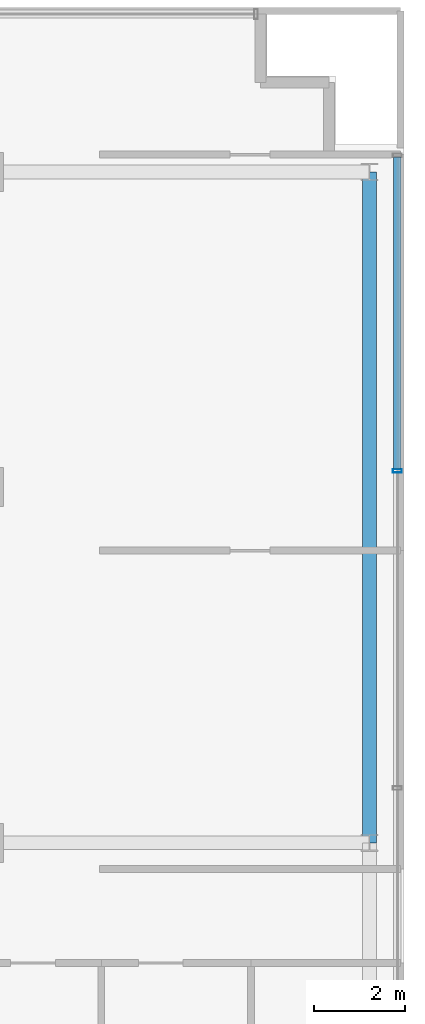
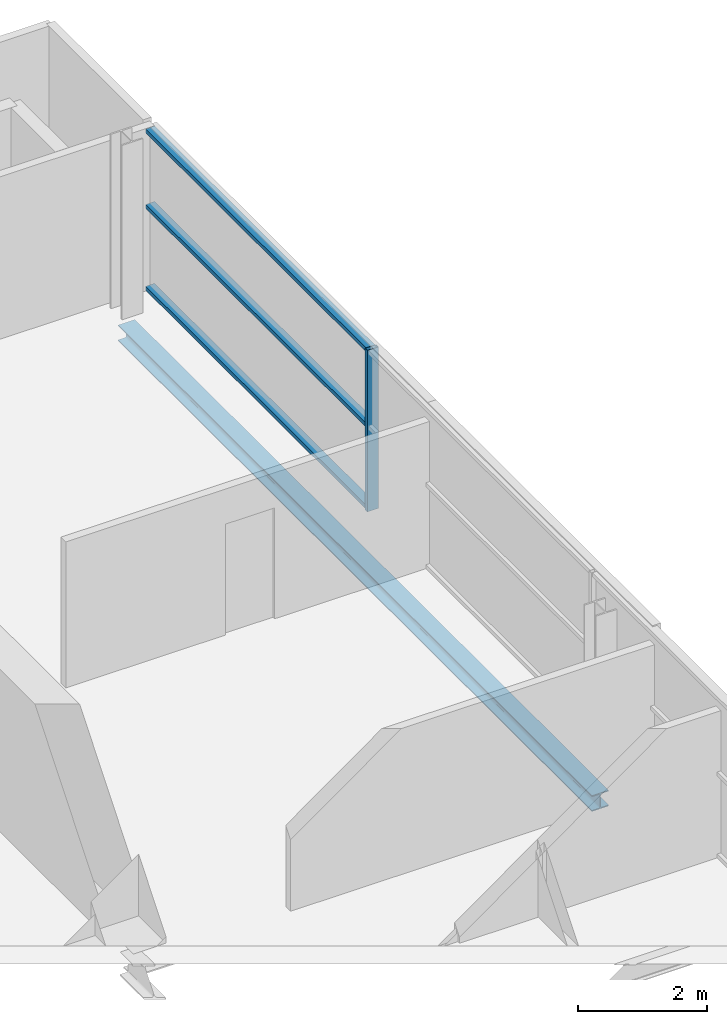
# One storey, part 10 of 21: 4 members, 1 beam, 1 element without a shape of its own.
"""IFC4 building model written with IfcOpenShell, lengths in metres."""

import ifcopenshell
import ifcopenshell.guid

model = None  # the IFC model being written
_history = None  # IfcOwnerHistory: only IFC2X3 demands one
_inside = {}  # id of a spatial element -> (the spatial element, [elements in it])
_under = {}  # id of a project, library or spatial element -> (it, [spatial elements below it])
_declared = {}  # id of a project -> (the project, [libraries it declares])
_typed = {}  # id of a type object -> (the type object, [elements of that type])
_made_of = {}  # id of a material, layer set ... -> (it, [elements and type objects made of it])


def new_model(schema):
    """Start an empty IFC model of exactly this schema.

    Asked for "IFC4X3", IfcOpenShell would pick the latest addendum, in which some entities
    have other attributes; the version numbers below select the first issue.
    IFC2X3 requires an IfcOwnerHistory on every rooted entity: one is made here for all.
    """
    global model, _history
    if schema == "IFC4X3":
        model = ifcopenshell.file(schema_version=(4, 3, 0, 0))
    else:
        model = ifcopenshell.file(schema=schema)
    _inside.clear()
    _under.clear()
    _declared.clear()
    _typed.clear()
    _made_of.clear()
    _history = None
    if model.schema == "IFC2X3":
        org = make("IfcOrganization", Name="unknown")
        user = make(
            "IfcPersonAndOrganization",
            ThePerson=make("IfcPerson", FamilyName="unknown"),
            TheOrganization=org,
        )
        app = make(
            "IfcApplication",
            ApplicationDeveloper=org,
            Version="unknown",
            ApplicationFullName="unknown",
            ApplicationIdentifier="unknown",
        )
        _history = make(
            "IfcOwnerHistory",
            OwningUser=user,
            OwningApplication=app,
            ChangeAction="ADDED",
            CreationDate=0,
        )
    return model


def make(cls, **values):
    """One entity of the class cls with the attributes given. An attribute that is None is left unset."""
    return model.create_entity(
        cls, **{name: value for name, value in values.items() if value is not None}
    )


def rooted(cls, **values):
    """An entity with a GlobalId (a new one), such as an element, a storey or a relation."""
    return make(cls, GlobalId=ifcopenshell.guid.new(), OwnerHistory=_history, **values)


def si_unit(unit_type, name, prefix=None):
    """IfcSIUnit, for example si_unit("LENGTHUNIT", "METRE", prefix="MILLI")."""
    return make("IfcSIUnit", UnitType=unit_type, Prefix=prefix, Name=name)


def assignment(units):
    """IfcUnitAssignment: the units of a project."""
    return None if units is None else make("IfcUnitAssignment", Units=units)


def point(xyz):
    """IfcCartesianPoint."""
    return None if xyz is None else make("IfcCartesianPoint", Coordinates=xyz)


def direction(xyz):
    """IfcDirection."""
    return None if xyz is None else make("IfcDirection", DirectionRatios=xyz)


def frame(location, z_axis=None, x_axis=None):
    """IfcAxis2Placement3D, a coordinate frame: its origin and axes. An axis left out is left unset."""
    return make(
        "IfcAxis2Placement3D",
        Location=point(location),
        Axis=direction(z_axis),
        RefDirection=direction(x_axis),
    )


def frame_2d(location, x_axis=None):
    """IfcAxis2Placement2D, a coordinate frame in the plane: its origin and x axis."""
    return make(
        "IfcAxis2Placement2D", Location=point(location), RefDirection=direction(x_axis)
    )


def origin():
    """The frame at (0, 0, 0) with its axes left unset."""
    return frame((0.0, 0.0, 0.0))


def origin_2d():
    """The frame at (0, 0) in the plane with its x axis left unset."""
    return frame_2d((0.0, 0.0))


def place(relative_to, where):
    """IfcLocalPlacement: puts the frame where relative to a parent placement (None: the world)."""
    return make(
        "IfcLocalPlacement", PlacementRelTo=relative_to, RelativePlacement=where
    )


def context(
    kind, dimensions, precision=None, world=None, true_north=None, identifier=None
):
    """IfcGeometricRepresentationContext, for example the 3D "Model" context."""
    return make(
        "IfcGeometricRepresentationContext",
        ContextIdentifier=identifier,
        ContextType=kind,
        CoordinateSpaceDimension=dimensions,
        Precision=precision,
        WorldCoordinateSystem=world,
        TrueNorth=true_north,
    )


def subcontext(parent, identifier, kind, view, scale=None):
    """IfcGeometricRepresentationSubContext, for example "Body" below "Model"."""
    return make(
        "IfcGeometricRepresentationSubContext",
        ContextIdentifier=identifier,
        ContextType=kind,
        ParentContext=parent,
        TargetScale=scale,
        TargetView=view,
    )


def project(units=None, contexts=None):
    """IfcProject with its units and contexts."""
    return rooted(
        "IfcProject",
        Name="project",
        RepresentationContexts=contexts,
        UnitsInContext=assignment(units),
    )


def spatial(cls, under=None, at=None, **own):
    """A site, building, storey or space (cls), placed at a placement, below another one or the project."""
    s = rooted(cls, ObjectPlacement=at, **own)
    if under is not None:
        _under.setdefault(under.id(), (under, []))[1].append(s)
    return s


def profile(cls, at=None, kind="AREA", **sizes):
    """A parametric profile (cls). Its sizes go by their IFC names, for example OverallWidth=200.0."""
    return make(cls, ProfileType=kind, Position=at, **sizes)


def hollow_rectangle(**sizes):
    """IfcRectangleHollowProfileDef."""
    return profile("IfcRectangleHollowProfileDef", **sizes)


def i_section(**sizes):
    """IfcIShapeProfileDef."""
    return profile("IfcIShapeProfileDef", **sizes)


def extrude(swept, where, along, depth):
    """IfcExtrudedAreaSolid: the profile swept, set in the frame where, extruded along a direction by depth."""
    return make(
        "IfcExtrudedAreaSolid",
        SweptArea=swept,
        Position=where,
        ExtrudedDirection=direction(along),
        Depth=depth,
    )


def shape(context_of_items, identifier, shape_type, items):
    """IfcShapeRepresentation: the items that make up one representation, for example the "Body"."""
    return make(
        "IfcShapeRepresentation",
        ContextOfItems=context_of_items,
        RepresentationIdentifier=identifier,
        RepresentationType=shape_type,
        Items=items,
    )


def source(mapping_origin, context_of_items, identifier, shape_type, items):
    """IfcRepresentationMap: a shape defined once, which mapped items show again and again."""
    return make(
        "IfcRepresentationMap",
        MappingOrigin=mapping_origin,
        MappedRepresentation=shape(context_of_items, identifier, shape_type, items),
    )


def transform(
    local_origin,
    x_axis=None,
    y_axis=None,
    z_axis=None,
    scale=None,
    scale2=None,
    scale3=None,
    uniform=True,
):
    """IfcCartesianTransformationOperator3D, or its non-uniform kind. x_axis, y_axis, z_axis: its Axis1, 2, 3."""
    if uniform:
        return make(
            "IfcCartesianTransformationOperator3D",
            Axis1=direction(x_axis),
            Axis2=direction(y_axis),
            LocalOrigin=point(local_origin),
            Scale=scale,
            Axis3=direction(z_axis),
        )
    return make(
        "IfcCartesianTransformationOperator3DnonUniform",
        Axis1=direction(x_axis),
        Axis2=direction(y_axis),
        LocalOrigin=point(local_origin),
        Scale=scale,
        Axis3=direction(z_axis),
        Scale2=scale2,
        Scale3=scale3,
    )


def mapped(mapping_source, mapping_target):
    """IfcMappedItem: shows the shape of a source again, moved by a transform."""
    return make(
        "IfcMappedItem", MappingSource=mapping_source, MappingTarget=mapping_target
    )


def material(Name=None, Category=None):
    """IfcMaterial."""
    return make("IfcMaterial", Name=Name, Category=Category)


def layer(
    of_material, thickness, ventilated=None, Name=None, Category=None, Priority=None
):
    """IfcMaterialLayer: one layer of a wall or slab, of a material (None: an air gap)."""
    return make(
        "IfcMaterialLayer",
        Material=of_material,
        LayerThickness=thickness,
        IsVentilated=ventilated,
        Name=Name,
        Category=Category,
        Priority=Priority,
    )


def layer_set(layers, Name=None):
    """IfcMaterialLayerSet."""
    return make("IfcMaterialLayerSet", MaterialLayers=layers, LayerSetName=Name)


def material_profile(
    of_material, cross_section, Name=None, Category=None, Priority=None
):
    """IfcMaterialProfile: a cross section and its material."""
    return make(
        "IfcMaterialProfile",
        Name=Name,
        Material=of_material,
        Profile=cross_section,
        Priority=Priority,
        Category=Category,
    )


def profile_set(profiles, Name=None, composite=None):
    """IfcMaterialProfileSet."""
    return make(
        "IfcMaterialProfileSet",
        Name=Name,
        MaterialProfiles=profiles,
        CompositeProfile=composite,
    )


def made_of(thing, what):
    """Note that an element or type object is made of a material, layer set ...; save() writes the relation."""
    if what is not None:
        _made_of.setdefault(what.id(), (what, []))[1].append(thing)
    return thing


def type_object(cls, material=None, **own):
    """A type object (cls), such as IfcWallType, which elements share."""
    return made_of(rooted(cls, **own), material)


def element(
    cls,
    number,
    at=None,
    inside=None,
    cuts=None,
    type_object=None,
    material=None,
    context=None,
    identifier="Body",
    shape_type=None,
    held_by="IfcProductDefinitionShape",
    body=None,
    shapes=None,
    **own,
):
    """One element of the class cls, such as IfcWall. Its Tag is "e" and its number.

    at: its placement. inside: the storey or other place that contains it. cuts: it is an
    opening in that element (IfcRelVoidsElement). A single representation is given by context,
    identifier, shape_type and body (its items); several are given by shapes. held_by: the class
    of the entity that holds the representations. save() writes the other relations.
    """
    e = rooted(cls, Tag="e%d" % number, ObjectPlacement=at, **own)
    if body is not None:
        shapes = [shape(context, identifier, shape_type, body)]
    if shapes is not None:
        e.Representation = make(held_by, Representations=shapes)
    if inside is not None:
        _inside.setdefault(inside.id(), (inside, []))[1].append(e)
    if cuts is not None:
        rooted(
            "IfcRelVoidsElement", RelatingBuildingElement=cuts, RelatedOpeningElement=e
        )
    if type_object is not None:
        _typed.setdefault(type_object.id(), (type_object, []))[1].append(e)
    return made_of(e, material)


def aggregate(whole, parts):
    """IfcRelAggregates: a whole, such as a stair, and the parts it consists of."""
    return rooted("IfcRelAggregates", RelatingObject=whole, RelatedObjects=parts)


def save(model, path):
    """Write the relations noted so far, then the file.

    IfcRelAggregates (storeys below a building ...), IfcRelContainedInSpatialStructure (elements
    in a storey), IfcRelDefinesByType, IfcRelAssociatesMaterial and IfcRelDeclares: one each for
    every whole, place, type object, material and project.
    """
    for whole, parts in _under.values():
        aggregate(whole, parts)
    for where, things in _inside.values():
        rooted(
            "IfcRelContainedInSpatialStructure",
            RelatedElements=things,
            RelatingStructure=where,
        )
    for kind, things in _typed.values():
        rooted("IfcRelDefinesByType", RelatedObjects=things, RelatingType=kind)
    for what, things in _made_of.values():
        rooted("IfcRelAssociatesMaterial", RelatedObjects=things, RelatingMaterial=what)
    for by, libraries in _declared.values():
        rooted("IfcRelDeclares", RelatingContext=by, RelatedDefinitions=libraries)
    model.write(path)


model = new_model("IFC4")

# Units and contexts
model_context = context("Model", 3, precision=1e-05, world=origin(), true_north=direction((0.0, 1.0)))
body_context = subcontext(model_context, "Body", "Model", "MODEL_VIEW")
ifc_project = project(units=[si_unit("LENGTHUNIT", "METRE"), si_unit("AREAUNIT", "SQUARE_METRE"), si_unit("VOLUMEUNIT", "CUBIC_METRE"), si_unit("PLANEANGLEUNIT", "RADIAN"), si_unit("MASSUNIT", "GRAM", prefix="KILO")], contexts=[model_context])

# Site, building, storey
site_placement = place(None, origin())
site = spatial("IfcSite", under=ifc_project, at=site_placement, CompositionType="ELEMENT")
building_placement = place(site_placement, origin())
building = spatial("IfcBuilding", under=site, at=building_placement, Name="Zarnakvel Exchange Tower", CompositionType="ELEMENT")
storey_placement = place(building_placement, frame((0.0, 0.0, 255.10009765625)))
storey = spatial("IfcBuildingStorey", under=building, at=storey_placement, Name="L72", CompositionType="ELEMENT", Elevation=255.10009765625)

# Beam
ifc_material_1 = material(Name="Steel S355", Category="steel")
ifc_material_profile_1 = material_profile(ifc_material_1, i_section(OverallWidth=0.300048828125, OverallDepth=0.300048828125, WebThickness=0.010986328125, FlangeThickness=0.01904296875, FilletRadius=0.027099609375, at=origin_2d()))
ifc_profile_set_1 = profile_set([ifc_material_profile_1], Name="Steel S355")
beam_type = type_object("IfcBeamType", Name="SP-03", PredefinedType="SPANDREL", material=ifc_profile_set_1)
beam_placement = place(storey_placement, frame((22.85009765625, -1.199951171875, -0.375), z_axis=(0.0, 1.0, 0.0), x_axis=(-1.0, 0.0, 0.0)))
element("IfcBeam", 1, at=beam_placement, inside=storey, type_object=beam_type, Name="L72 Tower N-S Frame Beam", PredefinedType="SPANDREL", context=body_context, shape_type="SweptSolid", body=[
    extrude(i_section(OverallWidth=0.300048828125, OverallDepth=0.300048828125, WebThickness=0.010986328125, FlangeThickness=0.01904296875, FilletRadius=0.027099609375, at=origin_2d()), origin(), (0.0, 0.0, 1.0), 14.699951171875),
])

# Curtain wall, members
ifc_material_2 = material(Name="Architectural Bronze Anodised Aluminium", Category="aluminium")
ifc_layer = layer(ifc_material_2, 0.199951171875)
ifc_layer_set = layer_set([ifc_layer], Name="Architectural Bronze Anodised Aluminium")
curtain_wall_type = type_object("IfcCurtainWallType", Name="CW-04", PredefinedType="NOTDEFINED", material=ifc_layer_set)
curtain_wall_placement = place(storey_placement, origin())
curtain_wall = element("IfcCurtainWall", 2, at=curtain_wall_placement, inside=storey, type_object=curtain_wall_type, Name="L72 Curtain Wall CW-L72-E1 (CW-04)", PredefinedType="NOTDEFINED")
ifc_material_profile_2 = material_profile(ifc_material_2, hollow_rectangle(XDim=0.199951171875, YDim=0.074951171875, WallThickness=0.0048828125, at=origin_2d()))
ifc_profile_set_2 = profile_set([ifc_material_profile_2], Name="Architectural Bronze Anodised Aluminium")
member_type_1 = type_object("IfcMemberType", Name="CWM-04", PredefinedType="MULLION", material=ifc_profile_set_2)
shared_shape_1 = source(origin(), body_context, "Body", "SweptSolid", [
    extrude(hollow_rectangle(XDim=0.199951171875, YDim=0.074951171875, WallThickness=0.0048828125, at=origin_2d()), origin(), (0.0, 0.0, 1.0), 3.054931640625),
])
member_1_placement = place(storey_placement, frame((23.4599609375, 6.949951171875, 0.0), z_axis=(0.0, 0.0, 1.0), x_axis=(-1.0, 0.0, 0.0)))
member_1 = element("IfcMember", 3, at=member_1_placement, type_object=member_type_1, Name="CW-04 mullion 4", PredefinedType="MULLION", context=body_context, shape_type="MappedRepresentation", body=[
    mapped(shared_shape_1, transform((0.0, 0.0, 0.0), x_axis=(1.0, 0.0, 0.0), y_axis=(0.0, 1.0, 0.0), z_axis=(0.0, 0.0, 1.0), scale=1.0)),
])
ifc_material_profile_3 = material_profile(ifc_material_2, hollow_rectangle(XDim=0.159912109375, YDim=0.074951171875, WallThickness=0.00390625, at=origin_2d()))
ifc_profile_set_3 = profile_set([ifc_material_profile_3], Name="Architectural Bronze Anodised Aluminium")
member_type_2 = type_object("IfcMemberType", Name="CWT-04", PredefinedType="USERDEFINED", material=ifc_profile_set_3)
shared_shape_2 = source(origin(), body_context, "Body", "SweptSolid", [
    extrude(hollow_rectangle(XDim=0.159912109375, YDim=0.074951171875, WallThickness=0.00390625, at=origin_2d()), origin(), (0.0, 0.0, 1.0), 6.83740234375),
])
member_2_placement = place(storey_placement, frame((23.4599609375, 6.987548828125, 0.037353515625), z_axis=(0.0, 1.0, 0.0), x_axis=(-1.0, 0.0, 0.0)))
member_2 = element("IfcMember", 4, at=member_2_placement, type_object=member_type_2, Name="CW-04 transom 4.1", ObjectType="TRANSOM", PredefinedType="USERDEFINED", context=body_context, shape_type="MappedRepresentation", body=[
    mapped(shared_shape_2, transform((0.0, 0.0, 0.0), x_axis=(1.0, 0.0, 0.0), y_axis=(0.0, 1.0, 0.0), z_axis=(0.0, 0.0, 1.0), scale=1.0)),
])
member_3_placement = place(storey_placement, frame((23.4599609375, 6.987548828125, 1.588623046875), z_axis=(0.0, 1.0, 0.0), x_axis=(-1.0, 0.0, 0.0)))
member_3 = element("IfcMember", 5, at=member_3_placement, type_object=member_type_2, Name="CW-04 transom 4.2", ObjectType="TRANSOM", PredefinedType="USERDEFINED", context=body_context, shape_type="MappedRepresentation", body=[
    mapped(shared_shape_2, transform((0.0, 0.0, 0.0), x_axis=(1.0, 0.0, 0.0), y_axis=(0.0, 1.0, 0.0), z_axis=(0.0, 0.0, 1.0), scale=1.0)),
])
member_4_placement = place(storey_placement, frame((23.4599609375, 6.987548828125, 3.017333984375), z_axis=(0.0, 1.0, 0.0), x_axis=(-1.0, 0.0, 0.0)))
member_4 = element("IfcMember", 6, at=member_4_placement, type_object=member_type_2, Name="CW-04 transom 4.3", ObjectType="TRANSOM", PredefinedType="USERDEFINED", context=body_context, shape_type="MappedRepresentation", body=[
    mapped(shared_shape_2, transform((0.0, 0.0, 0.0), x_axis=(1.0, 0.0, 0.0), y_axis=(0.0, 1.0, 0.0), z_axis=(0.0, 0.0, 1.0), scale=1.0)),
])
aggregate(curtain_wall, [member_1, member_2, member_3, member_4])

save(model, "model.ifc")
